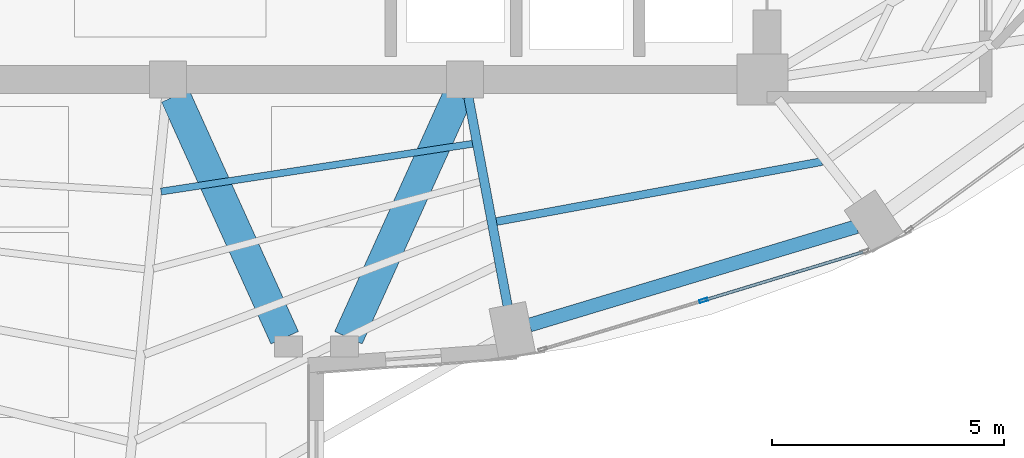
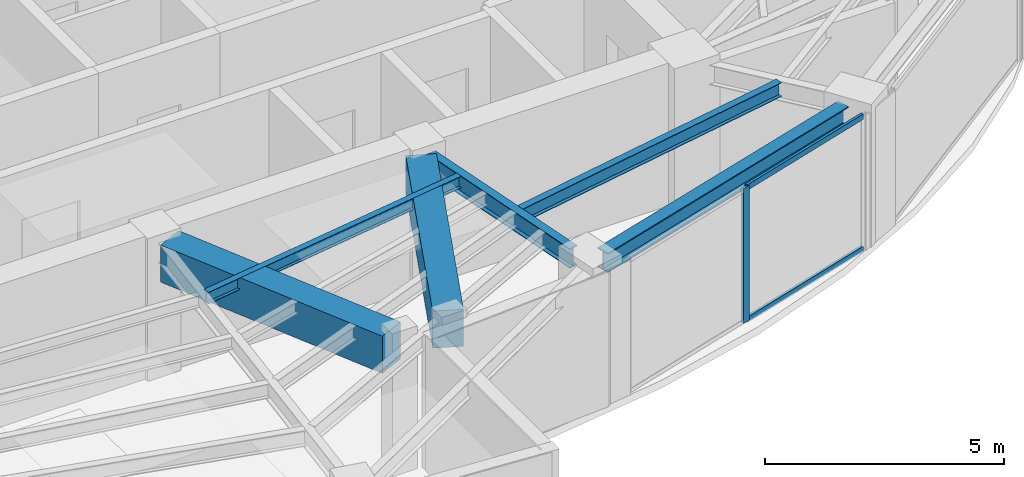
# One storey, part 7 of 23: 6 beams, 3 members, 1 element without a shape of its own.
"""IFC4 building model written with IfcOpenShell, lengths in metres."""

from ifc_helpers import new_model, si_unit, direction, frame, origin, origin_2d, place, context, subcontext, project, spatial, rectangle, hollow_rectangle, i_section, extrude, material, layer, layer_set, material_profile, profile_set, type_object, element, aggregate, save


model = new_model("IFC4")

# Units and contexts
model_context = context("Model", 3, precision=1e-05, world=origin(), true_north=direction((0.0, 1.0)))
body_context = subcontext(model_context, "Body", "Model", "MODEL_VIEW")
ifc_project = project(units=[si_unit("LENGTHUNIT", "METRE"), si_unit("AREAUNIT", "SQUARE_METRE"), si_unit("VOLUMEUNIT", "CUBIC_METRE"), si_unit("PLANEANGLEUNIT", "RADIAN"), si_unit("MASSUNIT", "GRAM", prefix="KILO")], contexts=[model_context])

# Site, building, storey
site_placement = place(None, origin())
site = spatial("IfcSite", under=ifc_project, at=site_placement, CompositionType="ELEMENT")
building_placement = place(site_placement, origin())
building = spatial("IfcBuilding", under=site, at=building_placement, Name="Lazwardi Medical Tower", CompositionType="ELEMENT")
storey_placement = place(building_placement, frame((0.0, 0.0, 202.1279296875)))
storey = spatial("IfcBuildingStorey", under=building, at=storey_placement, Name="L52", CompositionType="ELEMENT", Elevation=202.1279296875)

# Beams
ifc_material_1 = material(Name="Concrete C60/75", Category="concrete")
ifc_material_profile_1 = material_profile(ifc_material_1, rectangle(XDim=0.64990234375, YDim=0.949951171875, at=origin_2d()), Name="RC 650x950")
ifc_profile_set_1 = profile_set([ifc_material_profile_1], Name="Concrete C60/75")
beam_type_1 = type_object("IfcBeamType", Name="BM-CB-RC2", PredefinedType="LINTEL", material=ifc_profile_set_1)
for number, where, z_axis, x_axis, name in (
    (1, (32.95849609375, 20.04931640625, 2.97314453125), (0.412019279944, -0.911175127489, 0.0), (0.911175127489, 0.412019279944, 0.0), "Core coupling lintel CB-02 PL3 L52"),
    (2, (39.04150390625, 20.04931640625, 2.97314453125), (-0.412019279944, -0.911175127489, 0.0), (0.911175127489, -0.412019279944, 0.0), "Core coupling lintel CB-02 PL4 L52"),
):
    element("IfcBeam", number, at=place(storey_placement, frame(where, z_axis=z_axis, x_axis=x_axis)), inside=storey, type_object=beam_type_1, Name=name, PredefinedType="LINTEL", context=body_context, shape_type="SweptSolid", body=[
        extrude(rectangle(XDim=0.64990234375, YDim=0.949951171875, at=origin_2d()), origin(), (0.0, 0.0, 1.0), 5.7158203125),
    ])
ifc_material_2 = material(Name="Steel S355", Category="steel")
ifc_material_profile_2 = material_profile(ifc_material_2, i_section(OverallWidth=0.300048828125, OverallDepth=0.5, WebThickness=0.014404296875, FlangeThickness=0.028076171875, at=origin_2d()), Name="HEB 500")
ifc_profile_set_2 = profile_set([ifc_material_profile_2], Name="Steel S355")
beam_type_2 = type_object("IfcBeamType", Name="BM-RB-Z4", PredefinedType="BEAM", material=ifc_profile_set_2)
beam_1_placement = place(storey_placement, frame((40.58740234375, 15.114013671875, 3.197998046875), z_axis=(0.957544311906, 0.288286126506, 0.0), x_axis=(-0.288286126506, 0.957544311906, 0.0)))
element("IfcBeam", 3, at=beam_1_placement, inside=storey, type_object=beam_type_2, Name="Ring beam RB-05 B01 L52", PredefinedType="BEAM", context=body_context, shape_type="SweptSolid", body=[
    extrude(i_section(OverallWidth=0.300048828125, OverallDepth=0.5, WebThickness=0.014404296875, FlangeThickness=0.028076171875, at=origin_2d()), origin(), (0.0, 0.0, 1.0), 7.3515625),
])
ifc_material_profile_3 = material_profile(ifc_material_2, i_section(OverallWidth=0.199951171875, OverallDepth=0.5, WebThickness=0.01025390625, FlangeThickness=0.01611328125, at=origin_2d()), Name="IPE 500")
ifc_profile_set_3 = profile_set([ifc_material_profile_3], Name="Steel S355")
beam_type_3 = type_object("IfcBeamType", Name="BM-RG-W3", PredefinedType="BEAM", material=ifc_profile_set_3)
beam_2_placement = place(storey_placement, frame((40.115234375, 15.527587890625, 3.197998046875), z_axis=(-0.184633463507, 0.982807450192, 0.0), x_axis=(-0.982807450192, -0.184633463507, 0.0)))
element("IfcBeam", 4, at=beam_2_placement, inside=storey, type_object=beam_type_3, Name="Radial girder RG-04 R01 L52", PredefinedType="BEAM", context=body_context, shape_type="SweptSolid", body=[
    extrude(i_section(OverallWidth=0.199951171875, OverallDepth=0.5, WebThickness=0.01025390625, FlangeThickness=0.01611328125, at=origin_2d()), origin(), (0.0, 0.0, 1.0), 4.572509765625),
])
ifc_material_profile_4 = material_profile(ifc_material_2, i_section(OverallWidth=0.169921875, OverallDepth=0.360107421875, WebThickness=0.008056640625, FlangeThickness=0.0126953125, at=origin_2d()), Name="IPE 360")
ifc_profile_set_4 = profile_set([ifc_material_profile_4], Name="Steel S355")
beam_type_4 = type_object("IfcBeamType", Name="BM-SJ-02", PredefinedType="JOIST", material=ifc_profile_set_4)
beam_3_placement = place(storey_placement, frame((39.87109375, 17.34228515625, 3.26806640625), z_axis=(0.983427965623, 0.181299300688, 0.0), x_axis=(-0.181299300688, 0.983427965623, 0.0)))
element("IfcBeam", 5, at=beam_3_placement, inside=storey, type_object=beam_type_4, Name="Secondary joist SJ-02 R2 B01 L52", PredefinedType="JOIST", context=body_context, shape_type="SweptSolid", body=[
    extrude(i_section(OverallWidth=0.169921875, OverallDepth=0.360107421875, WebThickness=0.008056640625, FlangeThickness=0.0126953125, at=origin_2d()), origin(), (0.0, 0.0, 1.0), 7.127685546875),
])
ifc_material_profile_5 = material_profile(ifc_material_2, i_section(OverallWidth=0.14990234375, OverallDepth=0.300048828125, WebThickness=0.007080078125, FlangeThickness=0.0107421875, at=origin_2d()), Name="IPE 300")
ifc_profile_set_5 = profile_set([ifc_material_profile_5], Name="Steel S355")
beam_type_5 = type_object("IfcBeamType", Name="BM-SJ-03", PredefinedType="JOIST", material=ifc_profile_set_5)
beam_4_placement = place(storey_placement, frame((32.652587890625, 17.989013671875, 3.298095703125), z_axis=(0.988433562862, 0.151654514629, 0.0), x_axis=(-0.151654514629, 0.988433562862, 0.0)))
element("IfcBeam", 6, at=beam_4_placement, inside=storey, type_object=beam_type_5, Name="Secondary joist SJ-03 R4 B16 L52", PredefinedType="JOIST", context=body_context, shape_type="SweptSolid", body=[
    extrude(i_section(OverallWidth=0.14990234375, OverallDepth=0.300048828125, WebThickness=0.007080078125, FlangeThickness=0.0107421875, at=origin_2d()), origin(), (0.0, 0.0, 1.0), 6.788818359375),
])

# Curtain wall, members
ifc_material_3 = material(Name="Anodised bronze aluminium and solar control glazing", Category="aluminium")
ifc_layer = layer(ifc_material_3, 0.18994140625)
ifc_layer_set = layer_set([ifc_layer], Name="Anodised bronze aluminium and solar control glazing")
curtain_wall_type = type_object("IfcCurtainWallType", Name="CW-SYS-04", PredefinedType="NOTDEFINED", material=ifc_layer_set)
curtain_wall_placement = place(storey_placement, origin())
curtain_wall = element("IfcCurtainWall", 7, at=curtain_wall_placement, inside=storey, type_object=curtain_wall_type, Name="L52 Unitised bronze curtain wall CW-04", PredefinedType="NOTDEFINED")
ifc_material_4 = material(Name="Anodised bronze aluminium", Category="aluminium")
ifc_material_profile_6 = material_profile(ifc_material_4, hollow_rectangle(XDim=0.06494140625, YDim=0.179931640625, WallThickness=0.00390625, at=origin_2d()), Name="ALU-MULLION 180x65x4")
ifc_profile_set_6 = profile_set([ifc_material_profile_6], Name="Anodised bronze aluminium")
member_type_1 = type_object("IfcMemberType", Name="CW-MUL-03", PredefinedType="MULLION", material=ifc_profile_set_6)
member_1_placement = place(storey_placement, frame((44.33642578125, 15.644775390625, 0.0), z_axis=(0.0, 0.0, 1.0), x_axis=(-0.290581889515, 0.956850126972, 0.0)))
member_1 = element("IfcMember", 8, at=member_1_placement, type_object=member_type_1, Name="CW-04 mullion 2", PredefinedType="MULLION", context=body_context, shape_type="SweptSolid", body=[
    extrude(hollow_rectangle(XDim=0.06494140625, YDim=0.179931640625, WallThickness=0.00390625, at=origin_2d()), origin(), (0.0, 0.0, 1.0), 3.447998046875),
])
ifc_material_profile_7 = material_profile(ifc_material_4, hollow_rectangle(XDim=0.06494140625, YDim=0.139892578125, WallThickness=0.00341796875, at=origin_2d()), Name="ALU-TRANSOM 140x65x3.5")
ifc_profile_set_7 = profile_set([ifc_material_profile_7], Name="Anodised bronze aluminium")
member_type_2 = type_object("IfcMemberType", Name="CW-TRN-03", PredefinedType="USERDEFINED", material=ifc_profile_set_7)
member_2_placement = place(storey_placement, frame((44.367431640625, 15.654052734375, 0.032470703125), z_axis=(0.956843409009, 0.290604010015, 0.0), x_axis=(-0.290604010015, 0.956843409009, 0.0)))
member_2 = element("IfcMember", 9, at=member_2_placement, type_object=member_type_2, Name="CW-04 transom 2.1", ObjectType="TRANSOM", PredefinedType="USERDEFINED", context=body_context, shape_type="SweptSolid", body=[
    extrude(hollow_rectangle(XDim=0.06494140625, YDim=0.139892578125, WallThickness=0.00341796875, at=origin_2d()), origin(), (0.0, 0.0, 1.0), 3.554443359375),
])
member_3_placement = place(storey_placement, frame((44.367431640625, 15.654052734375, 3.41552734375), z_axis=(0.956843409009, 0.290604010015, 0.0), x_axis=(-0.290604010015, 0.956843409009, 0.0)))
member_3 = element("IfcMember", 10, at=member_3_placement, type_object=member_type_2, Name="CW-04 transom 2.2", ObjectType="TRANSOM", PredefinedType="USERDEFINED", context=body_context, shape_type="SweptSolid", body=[
    extrude(hollow_rectangle(XDim=0.06494140625, YDim=0.139892578125, WallThickness=0.00341796875, at=origin_2d()), origin(), (0.0, 0.0, 1.0), 3.554443359375),
])
aggregate(curtain_wall, [member_1, member_2, member_3])

save(model, "model.ifc")
